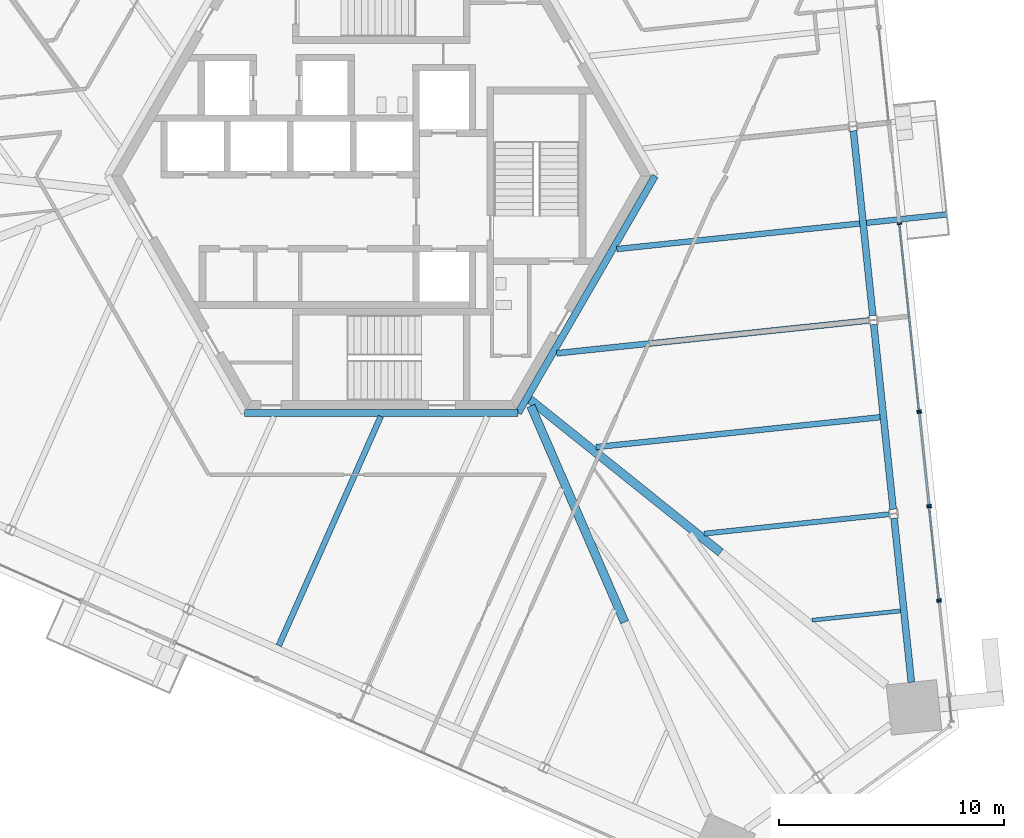
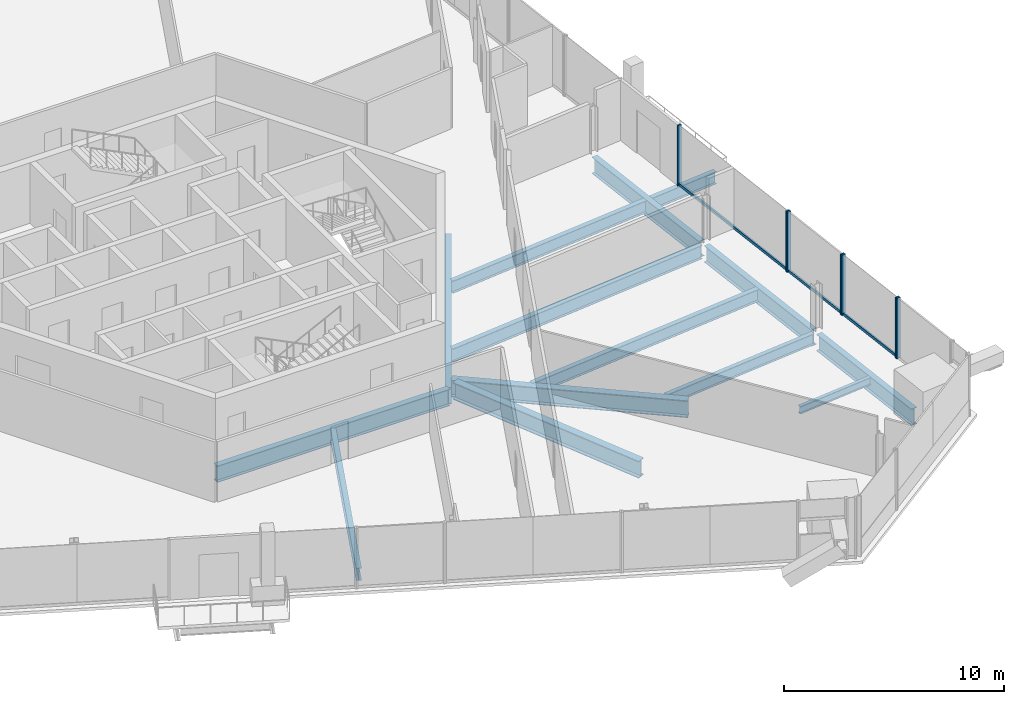
# One storey, part 6 of 25: 14 beams, 10 members, 4 elements without a shape of their own.
"""IFC4 building model written with IfcOpenShell, lengths in metres."""

import ifcopenshell
import ifcopenshell.guid

model = None  # the IFC model being written
_history = None  # IfcOwnerHistory: only IFC2X3 demands one
_inside = {}  # id of a spatial element -> (the spatial element, [elements in it])
_under = {}  # id of a project, library or spatial element -> (it, [spatial elements below it])
_declared = {}  # id of a project -> (the project, [libraries it declares])
_typed = {}  # id of a type object -> (the type object, [elements of that type])
_made_of = {}  # id of a material, layer set ... -> (it, [elements and type objects made of it])


def new_model(schema):
    """Start an empty IFC model of exactly this schema.

    Asked for "IFC4X3", IfcOpenShell would pick the latest addendum, in which some entities
    have other attributes; the version numbers below select the first issue.
    IFC2X3 requires an IfcOwnerHistory on every rooted entity: one is made here for all.
    """
    global model, _history
    if schema == "IFC4X3":
        model = ifcopenshell.file(schema_version=(4, 3, 0, 0))
    else:
        model = ifcopenshell.file(schema=schema)
    _inside.clear()
    _under.clear()
    _declared.clear()
    _typed.clear()
    _made_of.clear()
    _history = None
    if model.schema == "IFC2X3":
        org = make("IfcOrganization", Name="unknown")
        user = make(
            "IfcPersonAndOrganization",
            ThePerson=make("IfcPerson", FamilyName="unknown"),
            TheOrganization=org,
        )
        app = make(
            "IfcApplication",
            ApplicationDeveloper=org,
            Version="unknown",
            ApplicationFullName="unknown",
            ApplicationIdentifier="unknown",
        )
        _history = make(
            "IfcOwnerHistory",
            OwningUser=user,
            OwningApplication=app,
            ChangeAction="ADDED",
            CreationDate=0,
        )
    return model


def make(cls, **values):
    """One entity of the class cls with the attributes given. An attribute that is None is left unset."""
    return model.create_entity(
        cls, **{name: value for name, value in values.items() if value is not None}
    )


def rooted(cls, **values):
    """An entity with a GlobalId (a new one), such as an element, a storey or a relation."""
    return make(cls, GlobalId=ifcopenshell.guid.new(), OwnerHistory=_history, **values)


def si_unit(unit_type, name, prefix=None):
    """IfcSIUnit, for example si_unit("LENGTHUNIT", "METRE", prefix="MILLI")."""
    return make("IfcSIUnit", UnitType=unit_type, Prefix=prefix, Name=name)


def assignment(units):
    """IfcUnitAssignment: the units of a project."""
    return None if units is None else make("IfcUnitAssignment", Units=units)


def point(xyz):
    """IfcCartesianPoint."""
    return None if xyz is None else make("IfcCartesianPoint", Coordinates=xyz)


def direction(xyz):
    """IfcDirection."""
    return None if xyz is None else make("IfcDirection", DirectionRatios=xyz)


def frame(location, z_axis=None, x_axis=None):
    """IfcAxis2Placement3D, a coordinate frame: its origin and axes. An axis left out is left unset."""
    return make(
        "IfcAxis2Placement3D",
        Location=point(location),
        Axis=direction(z_axis),
        RefDirection=direction(x_axis),
    )


def frame_2d(location, x_axis=None):
    """IfcAxis2Placement2D, a coordinate frame in the plane: its origin and x axis."""
    return make(
        "IfcAxis2Placement2D", Location=point(location), RefDirection=direction(x_axis)
    )


def origin():
    """The frame at (0, 0, 0) with its axes left unset."""
    return frame((0.0, 0.0, 0.0))


def origin_2d():
    """The frame at (0, 0) in the plane with its x axis left unset."""
    return frame_2d((0.0, 0.0))


def place(relative_to, where):
    """IfcLocalPlacement: puts the frame where relative to a parent placement (None: the world)."""
    return make(
        "IfcLocalPlacement", PlacementRelTo=relative_to, RelativePlacement=where
    )


def context(
    kind, dimensions, precision=None, world=None, true_north=None, identifier=None
):
    """IfcGeometricRepresentationContext, for example the 3D "Model" context."""
    return make(
        "IfcGeometricRepresentationContext",
        ContextIdentifier=identifier,
        ContextType=kind,
        CoordinateSpaceDimension=dimensions,
        Precision=precision,
        WorldCoordinateSystem=world,
        TrueNorth=true_north,
    )


def subcontext(parent, identifier, kind, view, scale=None):
    """IfcGeometricRepresentationSubContext, for example "Body" below "Model"."""
    return make(
        "IfcGeometricRepresentationSubContext",
        ContextIdentifier=identifier,
        ContextType=kind,
        ParentContext=parent,
        TargetScale=scale,
        TargetView=view,
    )


def project(units=None, contexts=None):
    """IfcProject with its units and contexts."""
    return rooted(
        "IfcProject",
        Name="project",
        RepresentationContexts=contexts,
        UnitsInContext=assignment(units),
    )


def spatial(cls, under=None, at=None, **own):
    """A site, building, storey or space (cls), placed at a placement, below another one or the project."""
    s = rooted(cls, ObjectPlacement=at, **own)
    if under is not None:
        _under.setdefault(under.id(), (under, []))[1].append(s)
    return s


def profile(cls, at=None, kind="AREA", **sizes):
    """A parametric profile (cls). Its sizes go by their IFC names, for example OverallWidth=200.0."""
    return make(cls, ProfileType=kind, Position=at, **sizes)


def rectangle(**sizes):
    """IfcRectangleProfileDef."""
    return profile("IfcRectangleProfileDef", **sizes)


def i_section(**sizes):
    """IfcIShapeProfileDef."""
    return profile("IfcIShapeProfileDef", **sizes)


def extrude(swept, where, along, depth):
    """IfcExtrudedAreaSolid: the profile swept, set in the frame where, extruded along a direction by depth."""
    return make(
        "IfcExtrudedAreaSolid",
        SweptArea=swept,
        Position=where,
        ExtrudedDirection=direction(along),
        Depth=depth,
    )


def shape(context_of_items, identifier, shape_type, items):
    """IfcShapeRepresentation: the items that make up one representation, for example the "Body"."""
    return make(
        "IfcShapeRepresentation",
        ContextOfItems=context_of_items,
        RepresentationIdentifier=identifier,
        RepresentationType=shape_type,
        Items=items,
    )


def source(mapping_origin, context_of_items, identifier, shape_type, items):
    """IfcRepresentationMap: a shape defined once, which mapped items show again and again."""
    return make(
        "IfcRepresentationMap",
        MappingOrigin=mapping_origin,
        MappedRepresentation=shape(context_of_items, identifier, shape_type, items),
    )


def transform(
    local_origin,
    x_axis=None,
    y_axis=None,
    z_axis=None,
    scale=None,
    scale2=None,
    scale3=None,
    uniform=True,
):
    """IfcCartesianTransformationOperator3D, or its non-uniform kind. x_axis, y_axis, z_axis: its Axis1, 2, 3."""
    if uniform:
        return make(
            "IfcCartesianTransformationOperator3D",
            Axis1=direction(x_axis),
            Axis2=direction(y_axis),
            LocalOrigin=point(local_origin),
            Scale=scale,
            Axis3=direction(z_axis),
        )
    return make(
        "IfcCartesianTransformationOperator3DnonUniform",
        Axis1=direction(x_axis),
        Axis2=direction(y_axis),
        LocalOrigin=point(local_origin),
        Scale=scale,
        Axis3=direction(z_axis),
        Scale2=scale2,
        Scale3=scale3,
    )


def mapped(mapping_source, mapping_target):
    """IfcMappedItem: shows the shape of a source again, moved by a transform."""
    return make(
        "IfcMappedItem", MappingSource=mapping_source, MappingTarget=mapping_target
    )


def material(Name=None, Category=None):
    """IfcMaterial."""
    return make("IfcMaterial", Name=Name, Category=Category)


def material_profile(
    of_material, cross_section, Name=None, Category=None, Priority=None
):
    """IfcMaterialProfile: a cross section and its material."""
    return make(
        "IfcMaterialProfile",
        Name=Name,
        Material=of_material,
        Profile=cross_section,
        Priority=Priority,
        Category=Category,
    )


def profile_set(profiles, Name=None, composite=None):
    """IfcMaterialProfileSet."""
    return make(
        "IfcMaterialProfileSet",
        Name=Name,
        MaterialProfiles=profiles,
        CompositeProfile=composite,
    )


def made_of(thing, what):
    """Note that an element or type object is made of a material, layer set ...; save() writes the relation."""
    if what is not None:
        _made_of.setdefault(what.id(), (what, []))[1].append(thing)
    return thing


def type_object(cls, material=None, **own):
    """A type object (cls), such as IfcWallType, which elements share."""
    return made_of(rooted(cls, **own), material)


def element(
    cls,
    number,
    at=None,
    inside=None,
    cuts=None,
    type_object=None,
    material=None,
    context=None,
    identifier="Body",
    shape_type=None,
    held_by="IfcProductDefinitionShape",
    body=None,
    shapes=None,
    **own,
):
    """One element of the class cls, such as IfcWall. Its Tag is "e" and its number.

    at: its placement. inside: the storey or other place that contains it. cuts: it is an
    opening in that element (IfcRelVoidsElement). A single representation is given by context,
    identifier, shape_type and body (its items); several are given by shapes. held_by: the class
    of the entity that holds the representations. save() writes the other relations.
    """
    e = rooted(cls, Tag="e%d" % number, ObjectPlacement=at, **own)
    if body is not None:
        shapes = [shape(context, identifier, shape_type, body)]
    if shapes is not None:
        e.Representation = make(held_by, Representations=shapes)
    if inside is not None:
        _inside.setdefault(inside.id(), (inside, []))[1].append(e)
    if cuts is not None:
        rooted(
            "IfcRelVoidsElement", RelatingBuildingElement=cuts, RelatedOpeningElement=e
        )
    if type_object is not None:
        _typed.setdefault(type_object.id(), (type_object, []))[1].append(e)
    return made_of(e, material)


def aggregate(whole, parts):
    """IfcRelAggregates: a whole, such as a stair, and the parts it consists of."""
    return rooted("IfcRelAggregates", RelatingObject=whole, RelatedObjects=parts)


def save(model, path):
    """Write the relations noted so far, then the file.

    IfcRelAggregates (storeys below a building ...), IfcRelContainedInSpatialStructure (elements
    in a storey), IfcRelDefinesByType, IfcRelAssociatesMaterial and IfcRelDeclares: one each for
    every whole, place, type object, material and project.
    """
    for whole, parts in _under.values():
        aggregate(whole, parts)
    for where, things in _inside.values():
        rooted(
            "IfcRelContainedInSpatialStructure",
            RelatedElements=things,
            RelatingStructure=where,
        )
    for kind, things in _typed.values():
        rooted("IfcRelDefinesByType", RelatedObjects=things, RelatingType=kind)
    for what, things in _made_of.values():
        rooted("IfcRelAssociatesMaterial", RelatedObjects=things, RelatingMaterial=what)
    for by, libraries in _declared.values():
        rooted("IfcRelDeclares", RelatingContext=by, RelatedDefinitions=libraries)
    model.write(path)


model = new_model("IFC4")

# Units and contexts
model_context = context("Model", 3, precision=1e-05, world=origin(), true_north=direction((0.0, 1.0)))
body_context = subcontext(model_context, "Body", "Model", "MODEL_VIEW")
ifc_project = project(units=[si_unit("LENGTHUNIT", "METRE"), si_unit("AREAUNIT", "SQUARE_METRE"), si_unit("VOLUMEUNIT", "CUBIC_METRE"), si_unit("PLANEANGLEUNIT", "RADIAN"), si_unit("MASSUNIT", "GRAM", prefix="KILO")], contexts=[model_context])

# Site, building, storey
site_placement = place(None, origin())
site = spatial("IfcSite", under=ifc_project, at=site_placement, CompositionType="ELEMENT")
building_placement = place(site_placement, origin())
building = spatial("IfcBuilding", under=site, at=building_placement, Name="Triune Harvest Tower", CompositionType="ELEMENT")
storey_placement = place(building_placement, frame((0.0, 0.0, 90.89990234375)))
storey = spatial("IfcBuildingStorey", under=building, at=storey_placement, Name="L22", CompositionType="ELEMENT", Elevation=90.89990234375)

# Beams
ifc_material_1 = material(Name="Steel ASTM A992 Gr 50", Category="steel")
ifc_material_profile_1 = material_profile(ifc_material_1, i_section(OverallWidth=0.3046875, OverallDepth=0.914306640625, WebThickness=0.0166015625, FlangeThickness=0.02587890625, at=origin_2d()), Name="W36x160")
ifc_profile_set_1 = profile_set([ifc_material_profile_1], Name="Steel ASTM A992 Gr 50")
beam_type_1 = type_object("IfcBeamType", Name="CG-1 Core ring girder W36x160", PredefinedType="BEAM", material=ifc_profile_set_1)
shared_shape_1 = source(origin(), body_context, "Body", "SweptSolid", [
    extrude(i_section(OverallWidth=0.3046875, OverallDepth=0.914306640625, WebThickness=0.0166015625, FlangeThickness=0.02587890625, at=origin_2d()), origin(), (0.0, 0.0, 1.0), 12.176025390625),
])
beam_1_placement = place(storey_placement, frame((6.087890625, -10.544677734375, -0.6171875), z_axis=(0.5000099932, 0.866019634131, 0.0), x_axis=(-0.866019634131, 0.5000099932, 0.0)))
element("IfcBeam", 1, at=beam_1_placement, inside=storey, type_object=beam_type_1, Name="beam/L22/CG6", PredefinedType="BEAM", context=body_context, shape_type="MappedRepresentation", body=[
    mapped(shared_shape_1, transform((0.0, 0.0, 0.0), scale=1.0)),
])
shared_shape_2 = source(origin(), body_context, "Body", "SweptSolid", [
    extrude(i_section(OverallWidth=0.3046875, OverallDepth=0.914306640625, WebThickness=0.0166015625, FlangeThickness=0.02587890625, at=origin_2d()), origin(), (0.0, 0.0, 1.0), 12.17578125),
])
beam_2_placement = place(storey_placement, frame((-6.087890625, -10.544677734375, -0.6171875), z_axis=(1.0, 0.0, 0.0), x_axis=(0.0, 1.0, 0.0)))
element("IfcBeam", 2, at=beam_2_placement, inside=storey, type_object=beam_type_1, Name="beam/L22/CG5", PredefinedType="BEAM", context=body_context, shape_type="MappedRepresentation", body=[
    mapped(shared_shape_2, transform((0.0, 0.0, 0.0), scale=1.0)),
])
ifc_material_2 = material(Name="Steel ASTM A992 Gr 50", Category="steel")
ifc_material_profile_2 = material_profile(ifc_material_2, i_section(OverallWidth=0.383544921875, OverallDepth=0.9423828125, WebThickness=0.022216796875, FlangeThickness=0.039794921875, at=origin_2d()), Name="W36x232")
ifc_profile_set_2 = profile_set([ifc_material_profile_2], Name="Steel ASTM A992 Gr 50")
beam_type_2 = type_object("IfcBeamType", Name="HG-1 Hip girder W36x232", PredefinedType="BEAM", material=ifc_profile_set_2)
shared_shape_3 = source(origin(), body_context, "Body", "SweptSolid", [
    extrude(i_section(OverallWidth=0.383544921875, OverallDepth=0.9423828125, WebThickness=0.022216796875, FlangeThickness=0.039794921875, at=origin_2d()), origin(), (0.0, 0.0, 1.0), 10.8701171875),
])
beam_3_placement = place(storey_placement, frame((15.0908203125, -16.745849609375, -0.631103515625), z_axis=(-0.780344837212, 0.625349450337, 0.0), x_axis=(-0.625349450337, -0.780344837212, 0.0)))
element("IfcBeam", 3, at=beam_3_placement, inside=storey, type_object=beam_type_2, Name="beam/L22/HG2", PredefinedType="BEAM", context=body_context, shape_type="MappedRepresentation", body=[
    mapped(shared_shape_3, transform((0.0, 0.0, 0.0), scale=1.0)),
])
shared_shape_4 = source(origin(), body_context, "Body", "SweptSolid", [
    extrude(i_section(OverallWidth=0.383544921875, OverallDepth=0.9423828125, WebThickness=0.022216796875, FlangeThickness=0.039794921875, at=origin_2d()), origin(), (0.0, 0.0, 1.0), 10.48291015625),
])
beam_4_placement = place(storey_placement, frame((10.824462890625, -19.84521484375, -0.631103515625), z_axis=(-0.39806686292, 0.917356404374, 0.0), x_axis=(-0.917356404374, -0.39806686292, 0.0)))
element("IfcBeam", 4, at=beam_4_placement, inside=storey, type_object=beam_type_2, Name="beam/L22/HG8", PredefinedType="BEAM", context=body_context, shape_type="MappedRepresentation", body=[
    mapped(shared_shape_4, transform((0.0, 0.0, 0.0), scale=1.0)),
])
ifc_material_3 = material(Name="Steel ASTM A992 Gr 50", Category="steel")
ifc_material_profile_3 = material_profile(ifc_material_3, i_section(OverallWidth=0.3046875, OverallDepth=0.914306640625, WebThickness=0.0166015625, FlangeThickness=0.02587890625, at=origin_2d()), Name="W36x160")
ifc_profile_set_3 = profile_set([ifc_material_profile_3], Name="Steel ASTM A992 Gr 50")
beam_type_3 = type_object("IfcBeamType", Name="SB-1 Spandrel beam W36x160", PredefinedType="SPANDREL", material=ifc_profile_set_3)
shared_shape_5 = source(origin(), body_context, "Body", "SweptSolid", [
    extrude(i_section(OverallWidth=0.3046875, OverallDepth=0.914306640625, WebThickness=0.0166015625, FlangeThickness=0.02587890625, at=origin_2d()), origin(), (0.0, 0.0, 1.0), 7.337890625),
])
beam_5_placement = place(storey_placement, frame((23.57568359375, -22.520751953125, -0.6171875), z_axis=(-0.104539300002, 0.994520756322, 0.0), x_axis=(-0.994520756322, -0.104539300002, 0.0)))
element("IfcBeam", 5, at=beam_5_placement, inside=storey, type_object=beam_type_3, Name="beam/L22/SB1", PredefinedType="SPANDREL", context=body_context, shape_type="MappedRepresentation", body=[
    mapped(shared_shape_5, transform((0.0, 0.0, 0.0), scale=1.0)),
])
shared_shape_6 = source(origin(), body_context, "Body", "SweptSolid", [
    extrude(i_section(OverallWidth=0.3046875, OverallDepth=0.914306640625, WebThickness=0.0166015625, FlangeThickness=0.02587890625, at=origin_2d()), origin(), (0.0, 0.0, 1.0), 8.26318359375),
])
beam_6_placement = place(storey_placement, frame((22.76708984375, -14.826416015625, -0.6171875), z_axis=(-0.104530986234, 0.994521630191, 0.0), x_axis=(-0.994521630191, -0.104530986234, 0.0)))
element("IfcBeam", 6, at=beam_6_placement, inside=storey, type_object=beam_type_3, Name="beam/L22/SB2", PredefinedType="SPANDREL", context=body_context, shape_type="MappedRepresentation", body=[
    mapped(shared_shape_6, transform((0.0, 0.0, 0.0), scale=1.0)),
])
shared_shape_7 = source(origin(), body_context, "Body", "SweptSolid", [
    extrude(i_section(OverallWidth=0.3046875, OverallDepth=0.914306640625, WebThickness=0.0166015625, FlangeThickness=0.02587890625, at=origin_2d()), origin(), (0.0, 0.0, 1.0), 8.263427734375),
])
beam_7_placement = place(storey_placement, frame((21.861572265625, -6.211669921875, -0.6171875), z_axis=(-0.104527914852, 0.994521953009, 0.0), x_axis=(-0.994521953009, -0.104527914852, 0.0)))
element("IfcBeam", 7, at=beam_7_placement, inside=storey, type_object=beam_type_3, Name="beam/L22/SB3", PredefinedType="SPANDREL", context=body_context, shape_type="MappedRepresentation", body=[
    mapped(shared_shape_7, transform((0.0, 0.0, 0.0), scale=1.0)),
])
ifc_material_4 = material(Name="Steel ASTM A992 Gr 50", Category="steel")
ifc_material_profile_4 = material_profile(ifc_material_4, i_section(OverallWidth=0.180908203125, OverallDepth=0.41650390625, WebThickness=0.010986328125, FlangeThickness=0.01806640625, at=origin_2d()), Name="W16x57")
ifc_profile_set_4 = profile_set([ifc_material_profile_4], Name="Steel ASTM A992 Gr 50")
beam_type_4 = type_object("IfcBeamType", Name="JT-1 Floor joist W16x57", PredefinedType="JOIST", material=ifc_profile_set_4)
shared_shape_8 = source(origin(), body_context, "Body", "SweptSolid", [
    extrude(i_section(OverallWidth=0.180908203125, OverallDepth=0.41650390625, WebThickness=0.010986328125, FlangeThickness=0.01806640625, at=origin_2d()), origin(), (0.0, 0.0, 1.0), 3.95068359375),
])
beam_8_placement = place(storey_placement, frame((23.089111328125, -19.34814453125, -0.3681640625), z_axis=(-0.994524737495, -0.104501418698, 0.0), x_axis=(0.104501418698, -0.994524737495, 0.0)))
element("IfcBeam", 8, at=beam_8_placement, inside=storey, type_object=beam_type_4, Name="beam/L22/JT1", PredefinedType="JOIST", context=body_context, shape_type="MappedRepresentation", body=[
    mapped(shared_shape_8, transform((0.0, 0.0, 0.0), scale=1.0)),
])
ifc_material_5 = material(Name="Steel ASTM A992 Gr 50", Category="steel")
ifc_material_profile_5 = material_profile(ifc_material_5, i_section(OverallWidth=0.22900390625, OverallDepth=0.612060546875, WebThickness=0.011962890625, FlangeThickness=0.01953125, at=origin_2d()), Name="W24x84")
ifc_profile_set_5 = profile_set([ifc_material_profile_5], Name="Steel ASTM A992 Gr 50")
beam_type_5 = type_object("IfcBeamType", Name="JT-3 Floor joist W24x84", PredefinedType="JOIST", material=ifc_profile_set_5)
shared_shape_9 = source(origin(), body_context, "Body", "SweptSolid", [
    extrude(i_section(OverallWidth=0.22900390625, OverallDepth=0.612060546875, WebThickness=0.011962890625, FlangeThickness=0.01953125, at=origin_2d()), origin(), (0.0, 0.0, 1.0), 8.28173828125),
])
beam_9_placement = place(storey_placement, frame((22.592041015625, -15.04541015625, -0.466064453125), z_axis=(-0.994521271652, -0.104534397358, 0.0), x_axis=(0.104534397358, -0.994521271652, 0.0)))
element("IfcBeam", 9, at=beam_9_placement, inside=storey, type_object=beam_type_5, Name="beam/L22/JT2", PredefinedType="JOIST", context=body_context, shape_type="MappedRepresentation", body=[
    mapped(shared_shape_9, transform((0.0, 0.0, 0.0), scale=1.0)),
])
ifc_material_6 = material(Name="Steel ASTM A992 Gr 50", Category="steel")
ifc_material_profile_6 = material_profile(ifc_material_6, i_section(OverallWidth=0.253662109375, OverallDepth=0.683349609375, WebThickness=0.012451171875, FlangeThickness=0.01904296875, at=origin_2d()), Name="W27x94")
ifc_profile_set_6 = profile_set([ifc_material_profile_6], Name="Steel ASTM A992 Gr 50")
beam_type_6 = type_object("IfcBeamType", Name="JT-4 Floor joist W27x94", PredefinedType="JOIST", material=ifc_profile_set_6)
shared_shape_10 = source(origin(), body_context, "Body", "SweptSolid", [
    extrude(i_section(OverallWidth=0.253662109375, OverallDepth=0.683349609375, WebThickness=0.012451171875, FlangeThickness=0.01904296875, at=origin_2d()), origin(), (0.0, 0.0, 1.0), 12.70166015625),
])
beam_10_placement = place(storey_placement, frame((22.18359375, -10.7333984375, -0.50146484375), z_axis=(-0.994522291469, -0.104524694556, 0.0), x_axis=(0.104524694556, -0.994522291469, 0.0)))
element("IfcBeam", 10, at=beam_10_placement, inside=storey, type_object=beam_type_6, Name="beam/L22/JT3", PredefinedType="JOIST", context=body_context, shape_type="MappedRepresentation", body=[
    mapped(shared_shape_10, transform((0.0, 0.0, 0.0), scale=1.0)),
])
ifc_material_7 = material(Name="Steel ASTM A992 Gr 50", Category="steel")
ifc_material_profile_7 = material_profile(ifc_material_7, i_section(OverallWidth=0.2666015625, OverallDepth=0.7568359375, WebThickness=0.013916015625, FlangeThickness=0.019287109375, at=origin_2d()), Name="W30x108")
ifc_profile_set_7 = profile_set([ifc_material_profile_7], Name="Steel ASTM A992 Gr 50")
beam_type_7 = type_object("IfcBeamType", Name="JT-5 Floor joist W30x108", PredefinedType="JOIST", material=ifc_profile_set_7)
shared_shape_11 = source(origin(), body_context, "Body", "SweptSolid", [
    extrude(i_section(OverallWidth=0.2666015625, OverallDepth=0.7568359375, WebThickness=0.013916015625, FlangeThickness=0.019287109375, at=origin_2d()), origin(), (0.0, 0.0, 1.0), 13.966552734375),
])
beam_11_placement = place(storey_placement, frame((21.6865234375, -6.4306640625, -0.538330078125), z_axis=(-0.994523349671, -0.104514625579, 0.0), x_axis=(0.104514625579, -0.994523349671, 0.0)))
element("IfcBeam", 11, at=beam_11_placement, inside=storey, type_object=beam_type_7, Name="beam/L22/JT4", PredefinedType="JOIST", context=body_context, shape_type="MappedRepresentation", body=[
    mapped(shared_shape_11, transform((0.0, 0.0, 0.0), scale=1.0)),
])
shared_shape_12 = source(origin(), body_context, "Body", "SweptSolid", [
    extrude(i_section(OverallWidth=0.253662109375, OverallDepth=0.683349609375, WebThickness=0.012451171875, FlangeThickness=0.01904296875, at=origin_2d()), origin(), (0.0, 0.0, 1.0), 10.864501953125),
])
beam_12_placement = place(storey_placement, frame((21.278076171875, -2.11865234375, -0.50146484375), z_axis=(-0.994523292564, -0.104515168984, 0.0), x_axis=(0.104515168984, -0.994523292564, 0.0)))
element("IfcBeam", 12, at=beam_12_placement, inside=storey, type_object=beam_type_6, Name="beam/L22/JT5", PredefinedType="JOIST", context=body_context, shape_type="MappedRepresentation", body=[
    mapped(shared_shape_12, transform((0.0, 0.0, 0.0), scale=1.0)),
])
shared_shape_13 = source(origin(), body_context, "Body", "SweptSolid", [
    extrude(i_section(OverallWidth=0.253662109375, OverallDepth=0.683349609375, WebThickness=0.012451171875, FlangeThickness=0.01904296875, at=origin_2d()), origin(), (0.0, 0.0, 1.0), 11.159423828125),
])
beam_13_placement = place(storey_placement, frame((-4.560546875, -20.8916015625, -0.50146484375), z_axis=(0.406747338499, 0.913540695659, 0.0), x_axis=(-0.913540695659, 0.406747338499, 0.0)))
element("IfcBeam", 13, at=beam_13_placement, inside=storey, type_object=beam_type_6, Name="beam/L22/JT33", PredefinedType="JOIST", context=body_context, shape_type="MappedRepresentation", body=[
    mapped(shared_shape_13, transform((0.0, 0.0, 0.0), scale=1.0)),
])
ifc_material_8 = material(Name="Steel ASTM A992 Gr 50", Category="steel")
ifc_material_profile_8 = material_profile(ifc_material_8, i_section(OverallWidth=0.253662109375, OverallDepth=0.683349609375, WebThickness=0.012451171875, FlangeThickness=0.01904296875, at=origin_2d()), Name="W27x94")
ifc_profile_set_8 = profile_set([ifc_material_profile_8], Name="Steel ASTM A992 Gr 50")
beam_type_8 = type_object("IfcBeamType", Name="BJ-4 Balcony cantilever joist W27x94", PredefinedType="JOIST", material=ifc_profile_set_8)
shared_shape_14 = source(origin(), body_context, "Body", "SweptSolid", [
    extrude(i_section(OverallWidth=0.253662109375, OverallDepth=0.683349609375, WebThickness=0.012451171875, FlangeThickness=0.01904296875, at=origin_2d()), origin(), (0.0, 0.0, 1.0), 3.597412109375),
])
beam_14_placement = place(storey_placement, frame((21.581298828125, -2.086669921875, -0.50146484375), z_axis=(0.99452328842, 0.104515208419, 0.0), x_axis=(-0.104515208419, 0.99452328842, 0.0)))
element("IfcBeam", 14, at=beam_14_placement, inside=storey, type_object=beam_type_8, Name="Balcony cantilever joist B2-F1 L22.6a", PredefinedType="JOIST", context=body_context, shape_type="MappedRepresentation", body=[
    mapped(shared_shape_14, transform((0.0, 0.0, 0.0), scale=1.0)),
])

# Curtain wall, member
ifc_material_9 = material(Name="Aluminium bronze anodised", Category="aluminium")
curtain_wall_type_1 = type_object("IfcCurtainWallType", Name="CW-10 Balcony window wall with insulated spandrel infill", PredefinedType="NOTDEFINED", material=ifc_material_9)
curtain_wall_1_placement = place(storey_placement, origin())
curtain_wall_1 = element("IfcCurtainWall", 15, at=curtain_wall_1_placement, inside=storey, type_object=curtain_wall_type_1, Name="CW-10 B2-F1 L22 run 201")
ifc_material_10 = material(Name="Aluminium bronze anodised", Category="aluminium")
ifc_material_profile_9 = material_profile(ifc_material_10, rectangle(XDim=0.199951171875, YDim=0.074951171875, at=origin_2d()), Name="MU-6 mullion 75 x 200")
ifc_profile_set_9 = profile_set([ifc_material_profile_9], Name="Aluminium bronze anodised")
member_type_1 = type_object("IfcMemberType", Name="MU-6 mullion 75 x 200", PredefinedType="MULLION", material=ifc_profile_set_9)
shared_shape_15 = source(origin(), body_context, "Body", "SweptSolid", [
    extrude(rectangle(XDim=0.199951171875, YDim=0.074951171875, at=origin_2d()), origin(), (0.0, 0.0, 1.0), 3.35009765625),
])
member_1_placement = place(storey_placement, frame((24.81201171875, -18.926025390625, 0.0), z_axis=(0.0, 0.0, 1.0), x_axis=(-0.994523084185, -0.104517151815, 0.0)))
member_1 = element("IfcMember", 16, at=member_1_placement, type_object=member_type_1, Name="CW-10 mullion B2-F1 201.2", PredefinedType="MULLION", context=body_context, shape_type="MappedRepresentation", body=[
    mapped(shared_shape_15, transform((0.0, 0.0, 0.0), scale=1.0)),
])
aggregate(curtain_wall_1, [member_1])

# Curtain wall, members
ifc_material_11 = material(Name="Aluminium bronze anodised", Category="aluminium")
curtain_wall_type_2 = type_object("IfcCurtainWallType", Name="CW-6 Balcony window wall", PredefinedType="NOTDEFINED", material=ifc_material_11)
curtain_wall_2_placement = place(storey_placement, origin())
curtain_wall_2 = element("IfcCurtainWall", 17, at=curtain_wall_2_placement, inside=storey, type_object=curtain_wall_type_2, Name="CW-6 B2-F1 L22 run 1201")
member_2_placement = place(storey_placement, frame((24.80419921875, -18.8515625, 0.0), z_axis=(0.0, 0.0, 1.0), x_axis=(-0.994520622653, -0.104540571631, 0.0)))
member_2 = element("IfcMember", 18, at=member_2_placement, type_object=member_type_1, Name="CW-6 mullion B2-F1 1201.1", PredefinedType="MULLION", context=body_context, shape_type="MappedRepresentation", body=[
    mapped(shared_shape_15, transform((0.0, 0.0, 0.0), scale=1.0)),
])
member_3_placement = place(storey_placement, frame((24.37060546875, -14.72607421875, 0.0), z_axis=(0.0, 0.0, 1.0), x_axis=(-0.994520622653, -0.104540571631, 0.0)))
member_3 = element("IfcMember", 19, at=member_3_placement, type_object=member_type_1, Name="CW-6 mullion B2-F1 1201.2", PredefinedType="MULLION", context=body_context, shape_type="MappedRepresentation", body=[
    mapped(shared_shape_15, transform((0.0, 0.0, 0.0), scale=1.0)),
])

curtain_wall_3_placement = place(storey_placement, origin())
curtain_wall_3 = element("IfcCurtainWall", 20, at=curtain_wall_3_placement, inside=storey, type_object=curtain_wall_type_1, Name="CW-10 B2-F1 L22 run 2201")
member_4_placement = place(storey_placement, frame((24.36279296875, -14.6513671875, 0.0), z_axis=(0.0, 0.0, 1.0), x_axis=(-0.994522825515, -0.104519613137, 0.0)))
member_4 = element("IfcMember", 21, at=member_4_placement, type_object=member_type_1, Name="CW-10 mullion B2-F1 2201.1", PredefinedType="MULLION", context=body_context, shape_type="MappedRepresentation", body=[
    mapped(shared_shape_15, transform((0.0, 0.0, 0.0), scale=1.0)),
])
member_5_placement = place(storey_placement, frame((23.92919921875, -10.52587890625, 0.0), z_axis=(0.0, 0.0, 1.0), x_axis=(-0.994522825515, -0.104519613137, 0.0)))
member_5 = element("IfcMember", 22, at=member_5_placement, type_object=member_type_1, Name="CW-10 mullion B2-F1 2201.2", PredefinedType="MULLION", context=body_context, shape_type="MappedRepresentation", body=[
    mapped(shared_shape_15, transform((0.0, 0.0, 0.0), scale=1.0)),
])

curtain_wall_4_placement = place(storey_placement, origin())
curtain_wall_4 = element("IfcCurtainWall", 23, at=curtain_wall_4_placement, inside=storey, type_object=curtain_wall_type_2, Name="CW-6 B2-F1 L22 run 3201")
member_6_placement = place(storey_placement, frame((23.92138671875, -10.451416015625, 0.0), z_axis=(0.0, 0.0, 1.0), x_axis=(-0.994521853486, -0.104528861748, 0.0)))
member_6 = element("IfcMember", 24, at=member_6_placement, type_object=member_type_1, Name="CW-6 mullion B2-F1 3201.1", PredefinedType="MULLION", context=body_context, shape_type="MappedRepresentation", body=[
    mapped(shared_shape_15, transform((0.0, 0.0, 0.0), scale=1.0)),
])
member_7_placement = place(storey_placement, frame((23.046142578125, -2.125732421875, 0.0), z_axis=(0.0, 0.0, 1.0), x_axis=(-0.994521853486, -0.104528861748, 0.0)))
member_7 = element("IfcMember", 25, at=member_7_placement, type_object=member_type_1, Name="CW-6 mullion B2-F1 3201.3", PredefinedType="MULLION", context=body_context, shape_type="MappedRepresentation", body=[
    mapped(shared_shape_15, transform((0.0, 0.0, 0.0), scale=1.0)),
])

# Member
ifc_material_12 = material(Name="Aluminium bronze anodised", Category="aluminium")
ifc_material_profile_10 = material_profile(ifc_material_12, rectangle(XDim=0.090087890625, YDim=0.14990234375, at=origin_2d()), Name="TR-6 transom 90 x 150")
ifc_profile_set_10 = profile_set([ifc_material_profile_10], Name="Aluminium bronze anodised")
member_type_2 = type_object("IfcMemberType", Name="TR-6 transom 90 x 150", PredefinedType="USERDEFINED", material=ifc_profile_set_10)
shared_shape_16 = source(origin(), body_context, "Body", "SweptSolid", [
    extrude(rectangle(XDim=0.090087890625, YDim=0.14990234375, at=origin_2d()), origin(), (0.0, 0.0, 1.0), 4.0732421875),
])
member_8_placement = place(storey_placement, frame((24.80029296875, -18.814208984375, 0.0751953125), z_axis=(-0.104528784824, 0.994521861571, 0.0), x_axis=(-0.994521861571, -0.104528784824, 0.0)))
member_8 = element("IfcMember", 26, at=member_8_placement, type_object=member_type_2, Name="CW-6 transom B2-F1 1201.1", ObjectType="TRANSOM", PredefinedType="USERDEFINED", context=body_context, shape_type="MappedRepresentation", body=[
    mapped(shared_shape_16, transform((0.0, 0.0, 0.0), scale=1.0)),
])

aggregate(curtain_wall_2, [member_2, member_3, member_8])

shared_shape_17 = source(origin(), body_context, "Body", "SweptSolid", [
    extrude(rectangle(XDim=0.090087890625, YDim=0.14990234375, at=origin_2d()), origin(), (0.0, 0.0, 1.0), 4.072998046875),
])
member_9_placement = place(storey_placement, frame((24.358642578125, -14.614013671875, 0.0751953125), z_axis=(-0.10447573057, 0.994527436385, 0.0), x_axis=(-0.994527436385, -0.10447573057, 0.0)))
member_9 = element("IfcMember", 27, at=member_9_placement, type_object=member_type_2, Name="CW-10 transom B2-F1 2201.1", ObjectType="TRANSOM", PredefinedType="USERDEFINED", context=body_context, shape_type="MappedRepresentation", body=[
    mapped(shared_shape_17, transform((0.0, 0.0, 0.0), scale=1.0)),
])

aggregate(curtain_wall_3, [member_4, member_5, member_9])

shared_shape_18 = source(origin(), body_context, "Body", "SweptSolid", [
    extrude(rectangle(XDim=0.090087890625, YDim=0.14990234375, at=origin_2d()), origin(), (0.0, 0.0, 1.0), 8.29638671875),
])
member_10_placement = place(storey_placement, frame((23.91748046875, -10.4140625, 0.0751953125), z_axis=(-0.104554578666, 0.994519150183, 0.0), x_axis=(-0.994519150183, -0.104554578666, 0.0)))
member_10 = element("IfcMember", 28, at=member_10_placement, type_object=member_type_2, Name="CW-6 transom B2-F1 3201.1", ObjectType="TRANSOM", PredefinedType="USERDEFINED", context=body_context, shape_type="MappedRepresentation", body=[
    mapped(shared_shape_18, transform((0.0, 0.0, 0.0), scale=1.0)),
])

aggregate(curtain_wall_4, [member_6, member_7, member_10])

save(model, "model.ifc")
